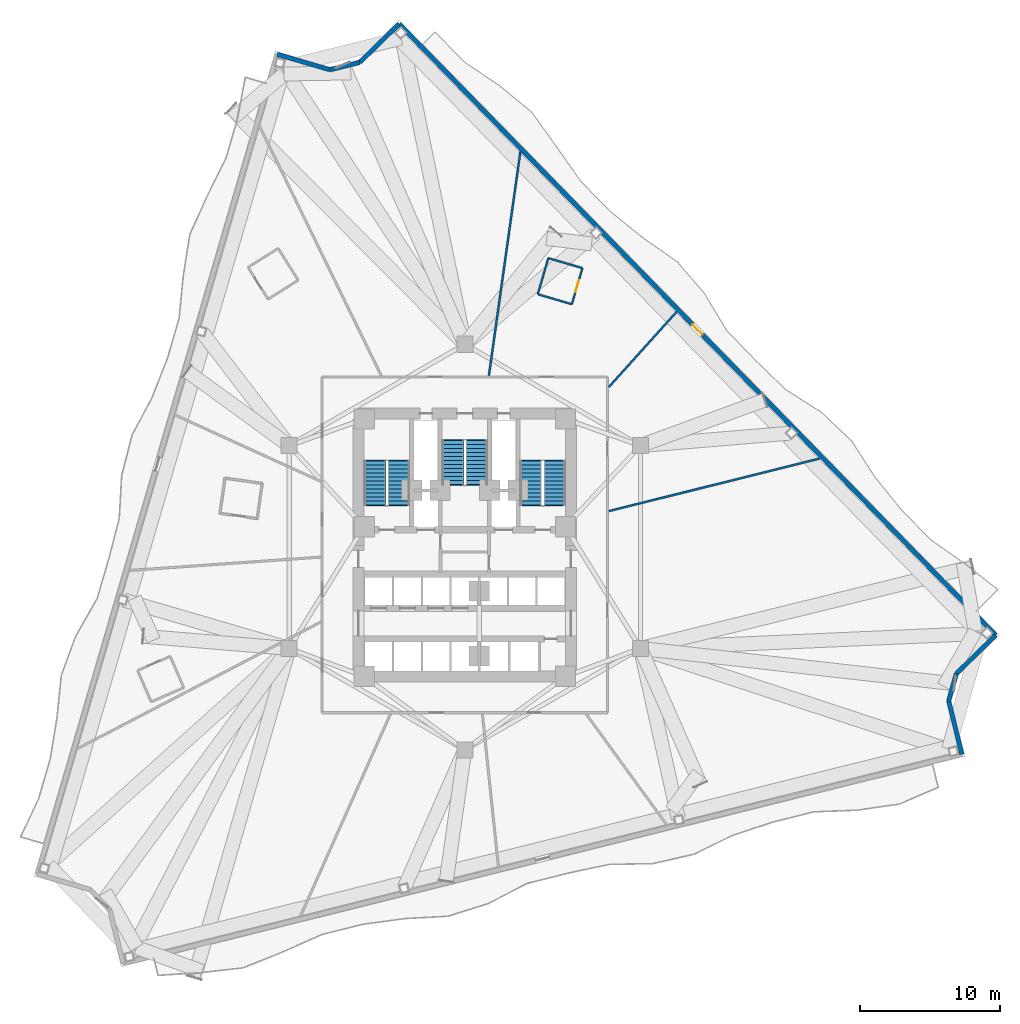
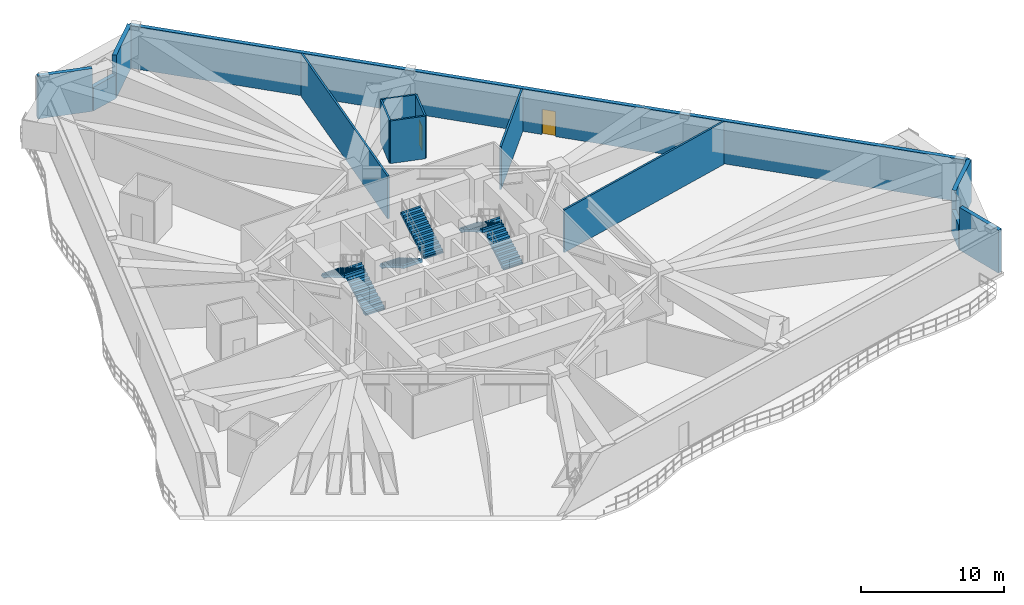
# One storey, part 10 of 14: 14 walls, 6 stair flights, 2 doors, 2 openings, 3 elements without a shape of their own.
"""IFC4 building model written with IfcOpenShell, lengths in metres."""

from ifc_helpers import new_model, si_unit, direction, frame, frame_2d, origin, place, context, subcontext, project, spatial, polyline, rectangle, outline, extrude, material, layer, layer_set, type_object, element, fill, aggregate, save


model = new_model("IFC4")

# Units and contexts
model_context = context("Model", 3, precision=1e-05, world=origin(), true_north=direction((0.0, 1.0)))
body_context = subcontext(model_context, "Body", "Model", "MODEL_VIEW")
ifc_project = project(units=[si_unit("LENGTHUNIT", "METRE"), si_unit("AREAUNIT", "SQUARE_METRE"), si_unit("VOLUMEUNIT", "CUBIC_METRE"), si_unit("PLANEANGLEUNIT", "RADIAN"), si_unit("MASSUNIT", "GRAM", prefix="KILO")], contexts=[model_context])

# Site, building, storey
site_placement = place(None, origin())
site = spatial("IfcSite", under=ifc_project, at=site_placement, CompositionType="ELEMENT")
building_placement = place(site_placement, origin())
building = spatial("IfcBuilding", under=site, at=building_placement, Name="Apsidion Concourse Tower", CompositionType="ELEMENT")
storey_placement = place(building_placement, frame((0.0, 0.0, 123.0)))
storey = spatial("IfcBuildingStorey", under=building, at=storey_placement, Name="L28", CompositionType="ELEMENT", Elevation=123.0)

# Wall, opening, door
ifc_material_1 = material(Name="Precast concrete C40/50", Category="concrete")
ifc_layer_1 = layer(ifc_material_1, 0.320068359375)
ifc_layer_set_1 = layer_set([ifc_layer_1], Name="Precast concrete C40/50")
wall_type_1 = type_object("IfcWallType", Name="WL-EXT-320", PredefinedType="STANDARD", material=ifc_layer_set_1)
wall_1_placement = place(storey_placement, frame((-4.6982421875, 37.40185546875, 0.0), z_axis=(0.0, 0.0, 1.0), x_axis=(0.698490621109, -0.715619208954, 0.0)))
wall_1 = element("IfcWall", 1, at=wall_1_placement, inside=storey, type_object=wall_type_1, Name="L28 Precast Stone Facade Wall 01", PredefinedType="STANDARD", context=body_context, shape_type="SweptSolid", body=[
    extrude(rectangle(XDim=61.075927734375, YDim=0.320068359375, at=frame_2d((30.5380859375, 0.0))), origin(), (0.0, 0.0, 1.0), 3.64990234375),
])
opening_1_placement = place(wall_1_placement, frame((30.037841796875, 0.0, 0.0)))
opening_1 = element("IfcOpeningElement", 2, at=opening_1_placement, cuts=wall_1, Name="Opening D-T1L", PredefinedType="OPENING", context=body_context, shape_type="SweptSolid", body=[
    extrude(rectangle(XDim=1.0, YDim=2.14990234375, at=frame_2d((0.5, 1.074951171875))), frame((0.0, 0.169921875, 0.0), z_axis=(0.0, -1.0, 0.0), x_axis=(1.0, 0.0, 0.0)), (0.0, 0.0, 1.0), 0.340087890625),
])
ifc_material_2 = material(Name="Anodised aluminium EN AW-6063 T6", Category="aluminium")
door_type_1 = type_object("IfcDoorType", Name="DR-TER-1022L", OperationType="SINGLE_SWING_LEFT", PredefinedType="DOOR", material=ifc_material_2)
door_1_placement = place(opening_1_placement, origin())
door_1 = element("IfcDoor", 3, at=door_1_placement, inside=storey, type_object=door_type_1, Name="L28 Balcony Access Door 3", OperationType="SINGLE_SWING_LEFT", OverallHeight=2.14990234375, OverallWidth=1.0, PredefinedType="DOOR", context=body_context, shape_type="SweptSolid", body=[
    extrude(rectangle(XDim=1.0, YDim=2.14990234375, at=frame_2d((0.5, 1.074951171875))), frame((0.0, 0.02490234375, 0.0), z_axis=(0.0, -1.0, 0.0), x_axis=(1.0, 0.0, 0.0)), (0.0, 0.0, 1.0), 0.050048828125),
])
fill(opening_1, door_1)

# Walls
wall_2_placement = place(storey_placement, frame((37.962646484375, -6.30517578125, 0.0), z_axis=(0.0, 0.0, 1.0), x_axis=(-0.71562223009, -0.698487525873, 0.0)))
element("IfcWall", 4, at=wall_2_placement, inside=storey, type_object=wall_type_1, Name="L28 Precast Stone Facade Wall 02", PredefinedType="STANDARD", context=body_context, shape_type="SweptSolid", body=[
    extrude(rectangle(XDim=3.9326171875, YDim=0.320068359375, at=frame_2d((1.96630859375, 0.0))), origin(), (0.0, 0.0, 1.0), 3.64990234375),
])
wall_3_placement = place(storey_placement, frame((35.1484375, -9.052001953125, 0.0), z_axis=(0.0, 0.0, 1.0), x_axis=(-0.27306692697, -0.961995038134, 0.0)))
element("IfcWall", 5, at=wall_3_placement, inside=storey, type_object=wall_type_1, Name="L28 Precast Stone Facade Wall 03", PredefinedType="STANDARD", context=body_context, shape_type="SweptSolid", body=[
    extrude(rectangle(XDim=2.02783203125, YDim=0.320068359375, at=frame_2d((1.013916015625, 0.0))), origin(), (0.0, 0.0, 1.0), 2.030029296875),
])
wall_4_placement = place(storey_placement, frame((34.5947265625, -11.002685546875, 0.0), z_axis=(0.0, 0.0, 1.0), x_axis=(0.241936662418, -0.970292044375, 0.0)))
element("IfcWall", 6, at=wall_4_placement, inside=storey, type_object=wall_type_1, Name="L28 Precast Stone Facade Wall 04", PredefinedType="STANDARD", context=body_context, shape_type="SweptSolid", body=[
    extrude(rectangle(XDim=3.9326171875, YDim=0.320068359375, at=frame_2d((1.96630859375, 0.0))), origin(), (0.0, 0.0, 1.0), 3.64990234375),
])
wall_5_placement = place(storey_placement, frame((-13.410888671875, 35.2294921875, 0.0), z_axis=(0.0, 0.0, 1.0), x_axis=(0.959788404321, -0.280724453747, 0.0)))
element("IfcWall", 7, at=wall_5_placement, inside=storey, type_object=wall_type_1, Name="L28 Precast Stone Facade Wall 10", PredefinedType="STANDARD", context=body_context, shape_type="SweptSolid", body=[
    extrude(rectangle(XDim=3.93359375, YDim=0.320068359375, at=frame_2d((1.966796875, 0.0))), origin(), (0.0, 0.0, 1.0), 3.64990234375),
])
wall_6_placement = place(storey_placement, frame((-9.635498046875, 34.125244140625, 0.0), z_axis=(0.0, 0.0, 1.0), x_axis=(0.970306423964, 0.241878985475, 0.0)))
element("IfcWall", 8, at=wall_6_placement, inside=storey, type_object=wall_type_1, Name="L28 Precast Stone Facade Wall 11", PredefinedType="STANDARD", context=body_context, shape_type="SweptSolid", body=[
    extrude(rectangle(XDim=2.187255859375, YDim=0.320068359375, at=frame_2d((1.09375, 0.0))), origin(), (0.0, 0.0, 1.0), 2.030029296875),
])
wall_7_placement = place(storey_placement, frame((-7.51318359375, 34.654296875, 0.0), z_axis=(0.0, 0.0, 1.0), x_axis=(0.715620001602, 0.698489809022, 0.0)))
element("IfcWall", 9, at=wall_7_placement, inside=storey, type_object=wall_type_1, Name="L28 Precast Stone Facade Wall 12", PredefinedType="STANDARD", context=body_context, shape_type="SweptSolid", body=[
    extrude(rectangle(XDim=3.93359375, YDim=0.320068359375, at=frame_2d((1.966796875, 0.0))), origin(), (0.0, 0.0, 1.0), 3.64990234375),
])

# Wall, opening, door
ifc_material_3 = material(Name="Gypsum plasterboard partition")
ifc_layer_2 = layer(ifc_material_3, 0.139892578125)
ifc_layer_set_2 = layer_set([ifc_layer_2], Name="Gypsum plasterboard partition")
wall_type_2 = type_object("IfcWallType", Name="WL-INT-PAR-140", PredefinedType="PARTITIONING", material=ifc_layer_set_2)
wall_8_placement = place(storey_placement, frame((7.65478515625, 17.36279296875, 0.0), z_axis=(0.0, 0.0, 1.0), x_axis=(0.28072135576, 0.959789310432, 0.0)))
wall_8 = element("IfcWall", 10, at=wall_8_placement, inside=storey, type_object=wall_type_2, Name="L28 Interior Partition WL-L28-POD-ENS06-S1", PredefinedType="PARTITIONING", context=body_context, shape_type="SweptSolid", body=[
    extrude(rectangle(XDim=2.68994140625, YDim=0.139892578125, at=frame_2d((1.344970703125, 0.0))), origin(), (0.0, 0.0, 1.0), 3.64990234375),
])
opening_2_placement = place(wall_8_placement, frame((0.905029296875, 0.0, 0.0)))
opening_2 = element("IfcOpeningElement", 11, at=opening_2_placement, cuts=wall_8, Name="Opening D-03L", PredefinedType="OPENING", context=body_context, shape_type="SweptSolid", body=[
    extrude(rectangle(XDim=0.8798828125, YDim=2.10009765625, at=frame_2d((0.43994140625, 1.050048828125))), frame((0.0, 0.080078125, 0.0), z_axis=(0.0, -1.0, 0.0), x_axis=(1.0, 0.0, 0.0)), (0.0, 0.0, 1.0), 0.159912109375),
])
door_type_2 = type_object("IfcDoorType", Name="DR-INT-D03L", OperationType="SINGLE_SWING_LEFT", PredefinedType="DOOR", material=ifc_material_2)
door_2_placement = place(opening_2_placement, origin())
door_2 = element("IfcDoor", 12, at=door_2_placement, inside=storey, type_object=door_type_2, Name="L28 Guest En-Suite Bathroom Door ENS06", OperationType="SINGLE_SWING_LEFT", OverallHeight=2.10009765625, OverallWidth=0.8798828125, PredefinedType="DOOR", context=body_context, shape_type="SweptSolid", body=[
    extrude(rectangle(XDim=0.8798828125, YDim=2.10009765625, at=frame_2d((0.43994140625, 1.050048828125))), frame((0.0, 0.02490234375, 0.0), z_axis=(0.0, -1.0, 0.0), x_axis=(1.0, 0.0, 0.0)), (0.0, 0.0, 1.0), 0.050048828125),
])
fill(opening_2, door_2)

# Walls
wall_9_placement = place(storey_placement, frame((8.409912109375, 19.944580078125, 0.0), z_axis=(0.0, 0.0, 1.0), x_axis=(-0.959808159588, 0.280656902263, 0.0)))
element("IfcWall", 13, at=wall_9_placement, inside=storey, type_object=wall_type_2, Name="L28 Interior Partition WL-L28-POD-ENS06-S2", PredefinedType="PARTITIONING", context=body_context, shape_type="SweptSolid", body=[
    extrude(rectangle(XDim=2.5400390625, YDim=0.139892578125, at=frame_2d((1.27001953125, 0.0))), origin(), (0.0, 0.0, 1.0), 3.64990234375),
])
wall_10_placement = place(storey_placement, frame((5.971923828125, 20.657470703125, 0.0), z_axis=(0.0, 0.0, 1.0), x_axis=(-0.280637744659, -0.959813761244, 0.0)))
element("IfcWall", 14, at=wall_10_placement, inside=storey, type_object=wall_type_2, Name="L28 Interior Partition WL-L28-POD-ENS06-S3", PredefinedType="PARTITIONING", context=body_context, shape_type="SweptSolid", body=[
    extrude(rectangle(XDim=2.68994140625, YDim=0.139892578125, at=frame_2d((1.344970703125, 0.0))), origin(), (0.0, 0.0, 1.0), 3.64990234375),
])
wall_11_placement = place(storey_placement, frame((5.217041015625, 18.07568359375, 0.0), z_axis=(0.0, 0.0, 1.0), x_axis=(0.959800587696, -0.280682795801, 0.0)))
element("IfcWall", 15, at=wall_11_placement, inside=storey, type_object=wall_type_2, Name="L28 Interior Partition WL-L28-POD-ENS06-S4", PredefinedType="PARTITIONING", context=body_context, shape_type="SweptSolid", body=[
    extrude(rectangle(XDim=2.539794921875, YDim=0.139892578125, at=frame_2d((1.27001953125, 0.0))), origin(), (0.0, 0.0, 1.0), 3.64990234375),
])
ifc_layer_3 = layer(ifc_material_3, 0.14990234375)
ifc_layer_set_3 = layer_set([ifc_layer_3], Name="Gypsum plasterboard partition")
wall_type_3 = type_object("IfcWallType", Name="WL-INT-PAR-150", PredefinedType="PARTITIONING", material=ifc_layer_set_3)
wall_12_placement = place(storey_placement, frame((10.304931640625, 2.5693359375, 0.0), z_axis=(0.0, 0.0, 1.0), x_axis=(0.970297530717, 0.241914658269, 0.0)))
element("IfcWall", 16, at=wall_12_placement, inside=storey, type_object=wall_type_3, Name="L28 Interior Partition WL-L28-RAD-01-1", PredefinedType="PARTITIONING", context=body_context, shape_type="SweptSolid", body=[
    extrude(rectangle(XDim=15.542724609375, YDim=0.14990234375, at=frame_2d((7.771484375, 0.0))), origin(), (0.0, 0.0, 1.0), 3.64990234375),
])
wall_13_placement = place(storey_placement, frame((10.304931640625, 11.44482421875, 0.0), z_axis=(0.0, 0.0, 1.0), x_axis=(0.669132525049, 0.743143097876, 0.0)))
element("IfcWall", 17, at=wall_13_placement, inside=storey, type_object=wall_type_3, Name="L28 Interior Partition WL-L28-RAD-02-1", PredefinedType="PARTITIONING", context=body_context, shape_type="SweptSolid", body=[
    extrude(rectangle(XDim=7.234130859375, YDim=0.14990234375, at=frame_2d((3.6171875, 0.0))), origin(), (0.0, 0.0, 1.0), 3.64990234375),
])
wall_14_placement = place(storey_placement, frame((1.722412109375, 12.2548828125, 0.0), z_axis=(0.0, 0.0, 1.0), x_axis=(0.139176176634, 0.990267636479, 0.0)))
element("IfcWall", 18, at=wall_14_placement, inside=storey, type_object=wall_type_3, Name="L28 Interior Partition WL-L28-RAD-03-1", PredefinedType="PARTITIONING", context=body_context, shape_type="SweptSolid", body=[
    extrude(rectangle(XDim=16.170166015625, YDim=0.14990234375, at=frame_2d((8.0849609375, 0.0))), origin(), (0.0, 0.0, 1.0), 3.64990234375),
])

# Stair, stair flights
stair_type = type_object("IfcStairType", Name="ST-DL-1550", PredefinedType="HALF_TURN_STAIR", material=ifc_material_1)
stair_1_placement = place(storey_placement, origin())
stair_1 = element("IfcStair", 19, at=stair_1_placement, inside=storey, type_object=stair_type, Name="L28 Protected Core Exit Stair ST1", PredefinedType="HALF_TURN_STAIR")
stair_flight_type = type_object("IfcStairFlightType", Name="SFL-RC-1550", PredefinedType="STRAIGHT", material=ifc_material_1)
stair_flight_1_placement = place(storey_placement, frame((-4.72509765625, 3.0, 0.0), z_axis=(0.0, 0.0, 1.0), x_axis=(0.0, 1.0, 0.0)))
stair_flight_1 = element("IfcStairFlight", 20, at=stair_flight_1_placement, type_object=stair_flight_type, Name="ST1 flight 1", NumberOfRisers=12, NumberOfTreads=11, PredefinedType="STRAIGHT", RiserHeight=0.166666667, TreadLength=0.285, context=body_context, shape_type="SweptSolid", body=[
    extrude(outline(polyline([(-0.080078125, -0.1123046875), (-0.080078125, 0.0), (0.0, 0.0), (0.0, 0.166748046875), (0.284912109375, 0.166748046875), (0.284912109375, 0.333251953125), (0.570068359375, 0.333251953125), (0.570068359375, 0.5), (0.85498046875, 0.5), (0.85498046875, 0.666748046875), (1.139892578125, 0.666748046875), (1.139892578125, 0.833251953125), (1.425048828125, 0.833251953125), (1.425048828125, 1.0), (1.7099609375, 1.0), (1.7099609375, 1.166748046875), (1.9951171875, 1.166748046875), (1.9951171875, 1.333251953125), (2.280029296875, 1.333251953125), (2.280029296875, 1.5), (2.56494140625, 1.5), (2.56494140625, 1.666748046875), (2.85009765625, 1.666748046875), (2.85009765625, 1.833251953125), (3.135009765625, 1.833251953125), (3.135009765625, 2.0), (3.215087890625, 1.916748046875), (3.215087890625, 1.65966796875), (3.135009765625, 1.65966796875), (0.296875, 0.0), (0.296875, -0.1123046875), (-0.080078125, -0.1123046875)])), frame((0.0, 0.77490234375, 0.0), z_axis=(0.0, -1.0, 0.0), x_axis=(1.0, 0.0, 0.0)), (0.0, 0.0, 1.0), 1.550048828125),
])
stair_flight_2_placement = place(storey_placement, frame((-6.425048828125, 6.135009765625, 2.0), z_axis=(0.0, 0.0, 1.0), x_axis=(0.0, -1.0, 0.0)))
stair_flight_2 = element("IfcStairFlight", 21, at=stair_flight_2_placement, type_object=stair_flight_type, Name="ST1 flight 2", NumberOfRisers=12, NumberOfTreads=11, PredefinedType="STRAIGHT", RiserHeight=0.166666667, TreadLength=0.285, context=body_context, shape_type="SweptSolid", body=[
    extrude(outline(polyline([(-0.080078125, -0.1123046875), (-0.080078125, 0.0), (0.0, 0.0), (0.0, 0.166748046875), (0.284912109375, 0.166748046875), (0.284912109375, 0.333251953125), (0.570068359375, 0.333251953125), (0.570068359375, 0.5), (0.85498046875, 0.5), (0.85498046875, 0.666748046875), (1.139892578125, 0.666748046875), (1.139892578125, 0.833251953125), (1.425048828125, 0.833251953125), (1.425048828125, 1.0), (1.7099609375, 1.0), (1.7099609375, 1.166748046875), (1.9951171875, 1.166748046875), (1.9951171875, 1.333251953125), (2.280029296875, 1.333251953125), (2.280029296875, 1.5), (2.56494140625, 1.5), (2.56494140625, 1.666748046875), (2.85009765625, 1.666748046875), (2.85009765625, 1.833251953125), (3.135009765625, 1.833251953125), (3.135009765625, 2.0), (3.215087890625, 1.916748046875), (3.215087890625, 1.65966796875), (3.135009765625, 1.65966796875), (0.296875, 0.0), (0.296875, -0.1123046875), (-0.080078125, -0.1123046875)])), frame((0.0, 0.77490234375, 0.0), z_axis=(0.0, -1.0, 0.0), x_axis=(1.0, 0.0, 0.0)), (0.0, 0.0, 1.0), 1.550048828125),
])
aggregate(stair_1, [stair_flight_1, stair_flight_2])

stair_2_placement = place(storey_placement, origin())
stair_2 = element("IfcStair", 22, at=stair_2_placement, inside=storey, type_object=stair_type, Name="L28 Protected Core Exit Stair ST2", PredefinedType="HALF_TURN_STAIR")
stair_flight_3_placement = place(storey_placement, frame((6.425048828125, 3.0, 0.0), z_axis=(0.0, 0.0, 1.0), x_axis=(0.0, 1.0, 0.0)))
stair_flight_3 = element("IfcStairFlight", 23, at=stair_flight_3_placement, type_object=stair_flight_type, Name="ST2 flight 1", NumberOfRisers=12, NumberOfTreads=11, PredefinedType="STRAIGHT", RiserHeight=0.166666667, TreadLength=0.285, context=body_context, shape_type="SweptSolid", body=[
    extrude(outline(polyline([(-0.080078125, -0.1123046875), (-0.080078125, 0.0), (0.0, 0.0), (0.0, 0.166748046875), (0.284912109375, 0.166748046875), (0.284912109375, 0.333251953125), (0.570068359375, 0.333251953125), (0.570068359375, 0.5), (0.85498046875, 0.5), (0.85498046875, 0.666748046875), (1.139892578125, 0.666748046875), (1.139892578125, 0.833251953125), (1.425048828125, 0.833251953125), (1.425048828125, 1.0), (1.7099609375, 1.0), (1.7099609375, 1.166748046875), (1.9951171875, 1.166748046875), (1.9951171875, 1.333251953125), (2.280029296875, 1.333251953125), (2.280029296875, 1.5), (2.56494140625, 1.5), (2.56494140625, 1.666748046875), (2.85009765625, 1.666748046875), (2.85009765625, 1.833251953125), (3.135009765625, 1.833251953125), (3.135009765625, 2.0), (3.215087890625, 1.916748046875), (3.215087890625, 1.65966796875), (3.135009765625, 1.65966796875), (0.296875, 0.0), (0.296875, -0.1123046875), (-0.080078125, -0.1123046875)])), frame((0.0, 0.77490234375, 0.0), z_axis=(0.0, -1.0, 0.0), x_axis=(1.0, 0.0, 0.0)), (0.0, 0.0, 1.0), 1.550048828125),
])
stair_flight_4_placement = place(storey_placement, frame((4.72509765625, 6.135009765625, 2.0), z_axis=(0.0, 0.0, 1.0), x_axis=(0.0, -1.0, 0.0)))
stair_flight_4 = element("IfcStairFlight", 24, at=stair_flight_4_placement, type_object=stair_flight_type, Name="ST2 flight 2", NumberOfRisers=12, NumberOfTreads=11, PredefinedType="STRAIGHT", RiserHeight=0.166666667, TreadLength=0.285, context=body_context, shape_type="SweptSolid", body=[
    extrude(outline(polyline([(-0.080078125, -0.1123046875), (-0.080078125, 0.0), (0.0, 0.0), (0.0, 0.166748046875), (0.284912109375, 0.166748046875), (0.284912109375, 0.333251953125), (0.570068359375, 0.333251953125), (0.570068359375, 0.5), (0.85498046875, 0.5), (0.85498046875, 0.666748046875), (1.139892578125, 0.666748046875), (1.139892578125, 0.833251953125), (1.425048828125, 0.833251953125), (1.425048828125, 1.0), (1.7099609375, 1.0), (1.7099609375, 1.166748046875), (1.9951171875, 1.166748046875), (1.9951171875, 1.333251953125), (2.280029296875, 1.333251953125), (2.280029296875, 1.5), (2.56494140625, 1.5), (2.56494140625, 1.666748046875), (2.85009765625, 1.666748046875), (2.85009765625, 1.833251953125), (3.135009765625, 1.833251953125), (3.135009765625, 2.0), (3.215087890625, 1.916748046875), (3.215087890625, 1.65966796875), (3.135009765625, 1.65966796875), (0.296875, 0.0), (0.296875, -0.1123046875), (-0.080078125, -0.1123046875)])), frame((0.0, 0.77490234375, 0.0), z_axis=(0.0, -1.0, 0.0), x_axis=(1.0, 0.0, 0.0)), (0.0, 0.0, 1.0), 1.550048828125),
])
aggregate(stair_2, [stair_flight_3, stair_flight_4])

stair_3_placement = place(storey_placement, origin())
stair_3 = element("IfcStair", 25, at=stair_3_placement, inside=storey, type_object=stair_type, Name="L28 Protected Core Exit Stair ST3", PredefinedType="HALF_TURN_STAIR")
stair_flight_5_placement = place(storey_placement, frame((-0.85009765625, 7.60009765625, 0.0), z_axis=(0.0, 0.0, 1.0), x_axis=(0.0, -1.0, 0.0)))
stair_flight_5 = element("IfcStairFlight", 26, at=stair_flight_5_placement, type_object=stair_flight_type, Name="ST3 flight 1", NumberOfRisers=12, NumberOfTreads=11, PredefinedType="STRAIGHT", RiserHeight=0.166666667, TreadLength=0.285, context=body_context, shape_type="SweptSolid", body=[
    extrude(outline(polyline([(-0.080078125, -0.1123046875), (-0.080078125, 0.0), (0.0, 0.0), (0.0, 0.166748046875), (0.284912109375, 0.166748046875), (0.284912109375, 0.333251953125), (0.570068359375, 0.333251953125), (0.570068359375, 0.5), (0.85498046875, 0.5), (0.85498046875, 0.666748046875), (1.139892578125, 0.666748046875), (1.139892578125, 0.833251953125), (1.425048828125, 0.833251953125), (1.425048828125, 1.0), (1.7099609375, 1.0), (1.7099609375, 1.166748046875), (1.9951171875, 1.166748046875), (1.9951171875, 1.333251953125), (2.280029296875, 1.333251953125), (2.280029296875, 1.5), (2.56494140625, 1.5), (2.56494140625, 1.666748046875), (2.85009765625, 1.666748046875), (2.85009765625, 1.833251953125), (3.135009765625, 1.833251953125), (3.135009765625, 2.0), (3.215087890625, 1.916748046875), (3.215087890625, 1.65966796875), (3.135009765625, 1.65966796875), (0.296875, 0.0), (0.296875, -0.1123046875), (-0.080078125, -0.1123046875)])), frame((0.0, 0.77490234375, 0.0), z_axis=(0.0, -1.0, 0.0), x_axis=(1.0, 0.0, 0.0)), (0.0, 0.0, 1.0), 1.550048828125),
])
stair_flight_6_placement = place(storey_placement, frame((0.85009765625, 4.465087890625, 2.0), z_axis=(0.0, 0.0, 1.0), x_axis=(0.0, 1.0, 0.0)))
stair_flight_6 = element("IfcStairFlight", 27, at=stair_flight_6_placement, type_object=stair_flight_type, Name="ST3 flight 2", NumberOfRisers=12, NumberOfTreads=11, PredefinedType="STRAIGHT", RiserHeight=0.166666667, TreadLength=0.285, context=body_context, shape_type="SweptSolid", body=[
    extrude(outline(polyline([(-0.080078125, -0.1123046875), (-0.080078125, 0.0), (0.0, 0.0), (0.0, 0.166748046875), (0.284912109375, 0.166748046875), (0.284912109375, 0.333251953125), (0.570068359375, 0.333251953125), (0.570068359375, 0.5), (0.85498046875, 0.5), (0.85498046875, 0.666748046875), (1.139892578125, 0.666748046875), (1.139892578125, 0.833251953125), (1.425048828125, 0.833251953125), (1.425048828125, 1.0), (1.7099609375, 1.0), (1.7099609375, 1.166748046875), (1.9951171875, 1.166748046875), (1.9951171875, 1.333251953125), (2.280029296875, 1.333251953125), (2.280029296875, 1.5), (2.56494140625, 1.5), (2.56494140625, 1.666748046875), (2.85009765625, 1.666748046875), (2.85009765625, 1.833251953125), (3.135009765625, 1.833251953125), (3.135009765625, 2.0), (3.215087890625, 1.916748046875), (3.215087890625, 1.65966796875), (3.135009765625, 1.65966796875), (0.296875, 0.0), (0.296875, -0.1123046875), (-0.080078125, -0.1123046875)])), frame((0.0, 0.77490234375, 0.0), z_axis=(0.0, -1.0, 0.0), x_axis=(1.0, 0.0, 0.0)), (0.0, 0.0, 1.0), 1.550048828125),
])
aggregate(stair_3, [stair_flight_5, stair_flight_6])

save(model, "model.ifc")
